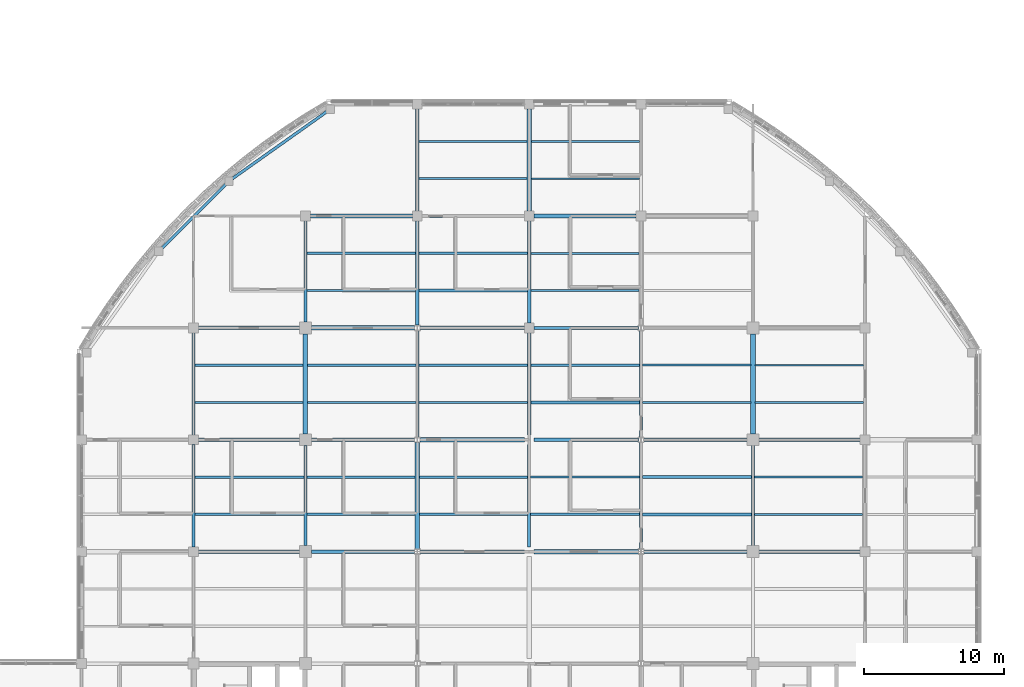
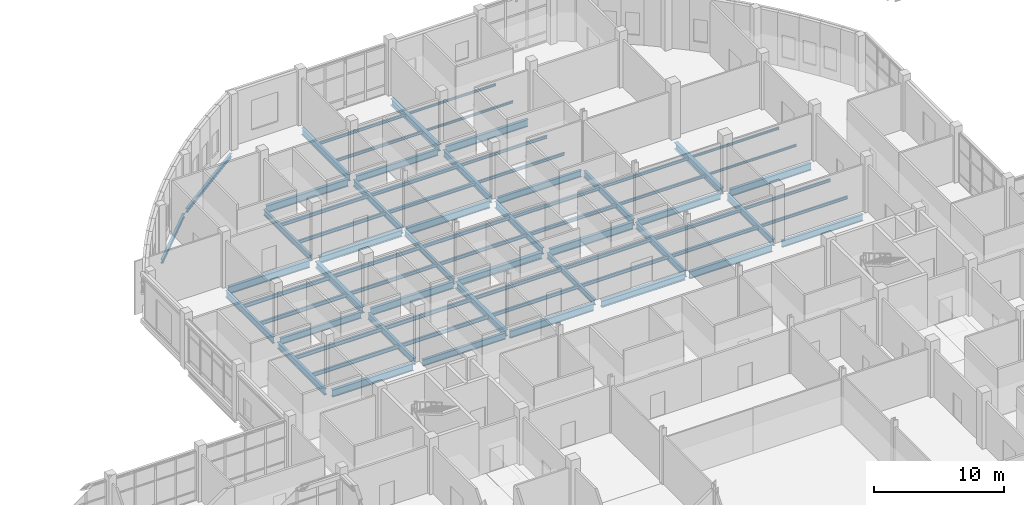
# One storey, part 30 of 105: 72 beams.
"""IFC4 building model written with IfcOpenShell, lengths in metres."""

from ifc_helpers import new_model, si_unit, derived_unit, direction, frame, origin, origin_2d, place, context, subcontext, project, spatial, i_section, extrude, material, material_profile, profile_set, type_object, element, save


model = new_model("IFC4")

# Units and contexts
model_context = context("Model", 3, precision=1e-05, world=origin(), true_north=direction((0.0, 1.0)))
body_context = subcontext(model_context, "Body", "Model", "MODEL_VIEW")
ifc_project = project(units=[si_unit("LENGTHUNIT", "METRE"), si_unit("AREAUNIT", "SQUARE_METRE"), si_unit("VOLUMEUNIT", "CUBIC_METRE"), si_unit("PLANEANGLEUNIT", "RADIAN"), si_unit("MASSUNIT", "GRAM", prefix="KILO"), derived_unit("THERMALTRANSMITTANCEUNIT", [(si_unit("MASSUNIT", "GRAM", prefix="KILO"), 1), (si_unit("TIMEUNIT", "SECOND"), -3), (si_unit("THERMODYNAMICTEMPERATUREUNIT", "KELVIN"), -1)])], contexts=[model_context])

# Site, building, storey
site_placement = place(None, origin())
site = spatial("IfcSite", under=ifc_project, at=site_placement, CompositionType="ELEMENT")
building_placement = place(site_placement, origin())
building = spatial("IfcBuilding", under=site, at=building_placement, Name="Veyamyaing Civic Hall", CompositionType="ELEMENT")
storey_placement = place(building_placement, origin())
storey = spatial("IfcBuildingStorey", under=building, at=storey_placement, Name="L00", CompositionType="ELEMENT", Elevation=0.0)

# Beams
ifc_material = material(Name="Steel ASTM A992", Category="steel")
ifc_material_profile_1 = material_profile(ifc_material, i_section(OverallWidth=0.256103515625, OverallDepth=0.693115234375, WebThickness=0.014404296875, FlangeThickness=0.023681640625, FilletRadius=0.013916015625, at=origin_2d()), Name="W690X170")
ifc_profile_set_1 = profile_set([ifc_material_profile_1], Name="Steel ASTM A992")
beam_type_1 = type_object("IfcBeamType", Name="B-04", PredefinedType="BEAM", material=ifc_profile_set_1)
beam_1_placement = place(storey_placement, frame((64.35009765625, 64.0, -0.611572265625), z_axis=(1.0, 0.0, 0.0), x_axis=(0.0, 1.0, 0.0)))
element("IfcBeam", 1, at=beam_1_placement, inside=storey, type_object=beam_type_1, Name="Girder B-04 L00 Grid J 9-10", PredefinedType="BEAM", context=body_context, shape_type="SweptSolid", body=[
    extrude(i_section(OverallWidth=0.256103515625, OverallDepth=0.693115234375, WebThickness=0.014404296875, FlangeThickness=0.023681640625, FilletRadius=0.013916015625, at=origin_2d()), origin(), (0.0, 0.0, 1.0), 7.224853515625),
])
beam_2_placement = place(storey_placement, frame((96.198974609375, 64.0, -0.611572265625), z_axis=(1.0, 0.0, 0.0), x_axis=(0.0, 1.0, 0.0)))
element("IfcBeam", 2, at=beam_2_placement, inside=storey, type_object=beam_type_1, Name="Girder B-04 L00 Grid J 13-14", PredefinedType="BEAM", context=body_context, shape_type="SweptSolid", body=[
    extrude(i_section(OverallWidth=0.256103515625, OverallDepth=0.693115234375, WebThickness=0.014404296875, FlangeThickness=0.023681640625, FilletRadius=0.013916015625, at=origin_2d()), origin(), (0.0, 0.0, 1.0), 7.3759765625),
])
for number, where, z_axis, x_axis, name in (
    (3, (88.35009765625, 72.0, -0.611572265625), (1.0, 0.0, 0.0), (0.0, 1.0, 0.0), "Girder B-04 L00 Grid K 12-13"),
    (4, (80.198974609375, 80.0, -0.611572265625), (1.0, 0.0, 0.0), (0.0, 1.0, 0.0), "Girder B-04 L00 Grid L 11-12"),
):
    element("IfcBeam", number, at=place(storey_placement, frame(where, z_axis=z_axis, x_axis=x_axis)), inside=storey, type_object=beam_type_1, Name=name, PredefinedType="BEAM", context=body_context, shape_type="SweptSolid", body=[
        extrude(i_section(OverallWidth=0.256103515625, OverallDepth=0.693115234375, WebThickness=0.014404296875, FlangeThickness=0.023681640625, FilletRadius=0.013916015625, at=origin_2d()), origin(), (0.0, 0.0, 1.0), 7.450927734375),
    ])
beam_3_placement = place(storey_placement, frame((72.35009765625, 88.0, -0.611572265625), z_axis=(1.0, 0.0, 0.0), x_axis=(0.0, 1.0, 0.0)))
element("IfcBeam", 5, at=beam_3_placement, inside=storey, type_object=beam_type_1, Name="Girder B-04 L00 Grid M 10-11", PredefinedType="BEAM", context=body_context, shape_type="SweptSolid", body=[
    extrude(i_section(OverallWidth=0.256103515625, OverallDepth=0.693115234375, WebThickness=0.014404296875, FlangeThickness=0.023681640625, FilletRadius=0.013916015625, at=origin_2d()), origin(), (0.0, 0.0, 1.0), 7.2998046875),
])
ifc_material_profile_2 = material_profile(ifc_material, i_section(OverallWidth=0.22998046875, OverallDepth=0.616943359375, WebThickness=0.01318359375, FlangeThickness=0.022216796875, FilletRadius=0.012939453125, at=origin_2d()), Name="W610X140")
ifc_profile_set_2 = profile_set([ifc_material_profile_2], Name="Steel ASTM A992")
beam_type_2 = type_object("IfcBeamType", Name="B-05", PredefinedType="BEAM", material=ifc_profile_set_2)
beam_4_placement = place(storey_placement, frame((72.425048828125, 64.0, -0.573486328125), z_axis=(1.0, 0.0, 0.0), x_axis=(0.0, 1.0, 0.0)))
element("IfcBeam", 6, at=beam_4_placement, inside=storey, type_object=beam_type_2, Name="Girder B-05 L00 Grid J 10-11", PredefinedType="BEAM", context=body_context, shape_type="SweptSolid", body=[
    extrude(i_section(OverallWidth=0.22998046875, OverallDepth=0.616943359375, WebThickness=0.01318359375, FlangeThickness=0.022216796875, FilletRadius=0.012939453125, at=origin_2d()), origin(), (0.0, 0.0, 1.0), 7.3759765625),
])
for number, where, z_axis, x_axis, name in (
    (7, (104.425048828125, 64.0, -0.573486328125), (1.0, 0.0, 0.0), (0.0, 1.0, 0.0), "Girder B-05 L00 Grid J 14-15"),
    (8, (64.35009765625, 72.0, -0.573486328125), (1.0, 0.0, 0.0), (0.0, 1.0, 0.0), "Girder B-05 L00 Grid K 9-10"),
):
    element("IfcBeam", number, at=place(storey_placement, frame(where, z_axis=z_axis, x_axis=x_axis)), inside=storey, type_object=beam_type_2, Name=name, PredefinedType="BEAM", context=body_context, shape_type="SweptSolid", body=[
        extrude(i_section(OverallWidth=0.22998046875, OverallDepth=0.616943359375, WebThickness=0.01318359375, FlangeThickness=0.022216796875, FilletRadius=0.012939453125, at=origin_2d()), origin(), (0.0, 0.0, 1.0), 7.224853515625),
    ])
beam_5_placement = place(storey_placement, frame((96.198974609375, 72.0, -0.573486328125), z_axis=(1.0, 0.0, 0.0), x_axis=(0.0, 1.0, 0.0)))
element("IfcBeam", 9, at=beam_5_placement, inside=storey, type_object=beam_type_2, Name="Girder B-05 L00 Grid K 13-14", PredefinedType="BEAM", context=body_context, shape_type="SweptSolid", body=[
    extrude(i_section(OverallWidth=0.22998046875, OverallDepth=0.616943359375, WebThickness=0.01318359375, FlangeThickness=0.022216796875, FilletRadius=0.012939453125, at=origin_2d()), origin(), (0.0, 0.0, 1.0), 7.3759765625),
])
beam_6_placement = place(storey_placement, frame((88.35009765625, 80.0, -0.573486328125), z_axis=(1.0, 0.0, 0.0), x_axis=(0.0, 1.0, 0.0)))
element("IfcBeam", 10, at=beam_6_placement, inside=storey, type_object=beam_type_2, Name="Girder B-05 L00 Grid L 12-13", PredefinedType="BEAM", context=body_context, shape_type="SweptSolid", body=[
    extrude(i_section(OverallWidth=0.22998046875, OverallDepth=0.616943359375, WebThickness=0.01318359375, FlangeThickness=0.022216796875, FilletRadius=0.012939453125, at=origin_2d()), origin(), (0.0, 0.0, 1.0), 7.450927734375),
])
for number, where, z_axis, x_axis, name in (
    (11, (80.35009765625, 88.0, -0.573486328125), (1.0, 0.0, 0.0), (0.0, 1.0, 0.0), "Girder B-05 L00 Grid M 11-12"),
    (12, (64.0, 64.35009765625, -0.573486328125), (0.0, 1.0, 0.0), (-1.0, 0.0, 0.0), "Girder B-05 L00 Grid 9 J-K"),
):
    element("IfcBeam", number, at=place(storey_placement, frame(where, z_axis=z_axis, x_axis=x_axis)), inside=storey, type_object=beam_type_2, Name=name, PredefinedType="BEAM", context=body_context, shape_type="SweptSolid", body=[
        extrude(i_section(OverallWidth=0.22998046875, OverallDepth=0.616943359375, WebThickness=0.01318359375, FlangeThickness=0.022216796875, FilletRadius=0.012939453125, at=origin_2d()), origin(), (0.0, 0.0, 1.0), 7.2998046875),
    ])
beam_7_placement = place(storey_placement, frame((80.0, 80.193603515625, -0.573486328125), z_axis=(0.0, 1.0, 0.0), x_axis=(-1.0, 0.0, 0.0)))
element("IfcBeam", 13, at=beam_7_placement, inside=storey, type_object=beam_type_2, Name="Girder B-05 L00 Grid 11 L-M", PredefinedType="BEAM", context=body_context, shape_type="SweptSolid", body=[
    extrude(i_section(OverallWidth=0.22998046875, OverallDepth=0.616943359375, WebThickness=0.01318359375, FlangeThickness=0.022216796875, FilletRadius=0.012939453125, at=origin_2d()), origin(), (0.0, 0.0, 1.0), 7.456298828125),
])
beam_8_placement = place(storey_placement, frame((88.0, 72.35009765625, -0.573486328125), z_axis=(0.0, 1.0, 0.0), x_axis=(-1.0, 0.0, 0.0)))
element("IfcBeam", 14, at=beam_8_placement, inside=storey, type_object=beam_type_2, Name="Girder B-05 L00 Grid 12 K-L", PredefinedType="BEAM", context=body_context, shape_type="SweptSolid", body=[
    extrude(i_section(OverallWidth=0.22998046875, OverallDepth=0.616943359375, WebThickness=0.01318359375, FlangeThickness=0.022216796875, FilletRadius=0.012939453125, at=origin_2d()), origin(), (0.0, 0.0, 1.0), 7.2998046875),
])
beam_9_placement = place(storey_placement, frame((96.0, 64.193603515625, -0.573486328125), z_axis=(0.0, 1.0, 0.0), x_axis=(-1.0, 0.0, 0.0)))
element("IfcBeam", 15, at=beam_9_placement, inside=storey, type_object=beam_type_2, Name="Girder B-05 L00 Grid 13 J-K", PredefinedType="BEAM", context=body_context, shape_type="SweptSolid", body=[
    extrude(i_section(OverallWidth=0.22998046875, OverallDepth=0.616943359375, WebThickness=0.01318359375, FlangeThickness=0.022216796875, FilletRadius=0.012939453125, at=origin_2d()), origin(), (0.0, 0.0, 1.0), 7.61279296875),
])
ifc_material_profile_3 = material_profile(ifc_material, i_section(OverallWidth=0.22802734375, OverallDepth=0.60791015625, WebThickness=0.01123046875, FlangeThickness=0.017333984375, FilletRadius=0.012939453125, at=origin_2d()), Name="W610X113")
ifc_profile_set_3 = profile_set([ifc_material_profile_3], Name="Steel ASTM A992")
beam_type_3 = type_object("IfcBeamType", Name="B-06", PredefinedType="BEAM", material=ifc_profile_set_3)
beam_10_placement = place(storey_placement, frame((64.0, 72.35009765625, -0.569091796875), z_axis=(0.0, 1.0, 0.0), x_axis=(-1.0, 0.0, 0.0)))
element("IfcBeam", 16, at=beam_10_placement, inside=storey, type_object=beam_type_3, Name="Girder B-06 L00 Grid 9 K-L", PredefinedType="BEAM", context=body_context, shape_type="SweptSolid", body=[
    extrude(i_section(OverallWidth=0.22802734375, OverallDepth=0.60791015625, WebThickness=0.01123046875, FlangeThickness=0.017333984375, FilletRadius=0.012939453125, at=origin_2d()), origin(), (0.0, 0.0, 1.0), 7.2998046875),
])
beam_11_placement = place(storey_placement, frame((72.0, 64.425048828125, -0.569091796875), z_axis=(0.0, 1.0, 0.0), x_axis=(-1.0, 0.0, 0.0)))
element("IfcBeam", 17, at=beam_11_placement, inside=storey, type_object=beam_type_3, Name="Girder B-06 L00 Grid 10 J-K", PredefinedType="BEAM", context=body_context, shape_type="SweptSolid", body=[
    extrude(i_section(OverallWidth=0.22802734375, OverallDepth=0.60791015625, WebThickness=0.01123046875, FlangeThickness=0.017333984375, FilletRadius=0.012939453125, at=origin_2d()), origin(), (0.0, 0.0, 1.0), 7.14990234375),
])
for number, where, z_axis, x_axis, name in (
    (18, (80.0, 88.35009765625, -0.569091796875), (0.0, 1.0, 0.0), (-1.0, 0.0, 0.0), "Girder B-06 L00 Grid 11 M-N"),
    (19, (88.0, 80.35009765625, -0.569091796875), (0.0, 1.0, 0.0), (-1.0, 0.0, 0.0), "Girder B-06 L00 Grid 12 L-M"),
):
    element("IfcBeam", number, at=place(storey_placement, frame(where, z_axis=z_axis, x_axis=x_axis)), inside=storey, type_object=beam_type_3, Name=name, PredefinedType="BEAM", context=body_context, shape_type="SweptSolid", body=[
        extrude(i_section(OverallWidth=0.22802734375, OverallDepth=0.60791015625, WebThickness=0.01123046875, FlangeThickness=0.017333984375, FilletRadius=0.012939453125, at=origin_2d()), origin(), (0.0, 0.0, 1.0), 7.2998046875),
    ])
beam_12_placement = place(storey_placement, frame((96.0, 72.193603515625, -0.569091796875), z_axis=(0.0, 1.0, 0.0), x_axis=(-1.0, 0.0, 0.0)))
element("IfcBeam", 20, at=beam_12_placement, inside=storey, type_object=beam_type_3, Name="Girder B-06 L00 Grid 13 K-L", PredefinedType="BEAM", context=body_context, shape_type="SweptSolid", body=[
    extrude(i_section(OverallWidth=0.22802734375, OverallDepth=0.60791015625, WebThickness=0.01123046875, FlangeThickness=0.017333984375, FilletRadius=0.012939453125, at=origin_2d()), origin(), (0.0, 0.0, 1.0), 7.61279296875),
])
beam_13_placement = place(storey_placement, frame((104.0, 64.425048828125, -0.569091796875), z_axis=(0.0, 1.0, 0.0), x_axis=(-1.0, 0.0, 0.0)))
element("IfcBeam", 21, at=beam_13_placement, inside=storey, type_object=beam_type_3, Name="Girder B-06 L00 Grid 14 J-K", PredefinedType="BEAM", context=body_context, shape_type="SweptSolid", body=[
    extrude(i_section(OverallWidth=0.22802734375, OverallDepth=0.60791015625, WebThickness=0.01123046875, FlangeThickness=0.017333984375, FilletRadius=0.012939453125, at=origin_2d()), origin(), (0.0, 0.0, 1.0), 7.14990234375),
])
ifc_material_profile_4 = material_profile(ifc_material, i_section(OverallWidth=0.2041015625, OverallDepth=0.35009765625, WebThickness=0.0078125, FlangeThickness=0.01513671875, FilletRadius=0.010009765625, at=origin_2d()), Name="W360X72")
ifc_profile_set_4 = profile_set([ifc_material_profile_4], Name="Steel ASTM A992")
beam_type_4 = type_object("IfcBeamType", Name="B-11", PredefinedType="SPANDREL", material=ifc_profile_set_4)
beam_14_placement = place(storey_placement, frame((73.53466796875, 95.462646484375, -0.449951171875), z_axis=(-0.815567262109, -0.578662285773, 0.0), x_axis=(0.578662285773, -0.815567262109, 0.0)))
element("IfcBeam", 22, at=beam_14_placement, inside=storey, type_object=beam_type_4, Name="Curved corner spandrel B-11 L00 NW.1", PredefinedType="SPANDREL", context=body_context, shape_type="SweptSolid", body=[
    extrude(i_section(OverallWidth=0.2041015625, OverallDepth=0.35009765625, WebThickness=0.0078125, FlangeThickness=0.01513671875, FilletRadius=0.010009765625, at=origin_2d()), origin(), (0.0, 0.0, 1.0), 8.284423828125),
])
beam_15_placement = place(storey_placement, frame((66.3212890625, 90.282958984375, -0.449951171875), z_axis=(-0.707106781187, -0.707106781187, 0.0), x_axis=(0.707106781187, -0.707106781187, 0.0)))
element("IfcBeam", 23, at=beam_15_placement, inside=storey, type_object=beam_type_4, Name="Curved corner spandrel B-11 L00 NW.2", PredefinedType="SPANDREL", context=body_context, shape_type="SweptSolid", body=[
    extrude(i_section(OverallWidth=0.2041015625, OverallDepth=0.35009765625, WebThickness=0.0078125, FlangeThickness=0.01513671875, FilletRadius=0.010009765625, at=origin_2d()), origin(), (0.0, 0.0, 1.0), 6.511474609375),
])
ifc_material_profile_5 = material_profile(ifc_material, i_section(OverallWidth=0.25390625, OverallDepth=0.68408203125, WebThickness=0.012451171875, FlangeThickness=0.01904296875, FilletRadius=0.013916015625, at=origin_2d()), Name="W690X140")
ifc_profile_set_5 = profile_set([ifc_material_profile_5], Name="Steel ASTM A992")
beam_type_5 = type_object("IfcBeamType", Name="B-14", PredefinedType="BEAM", material=ifc_profile_set_5)
beam_16_placement = place(storey_placement, frame((80.198974609375, 64.0, -0.60693359375), z_axis=(1.0, 0.0, 0.0), x_axis=(0.0, 1.0, 0.0)))
element("IfcBeam", 24, at=beam_16_placement, inside=storey, type_object=beam_type_5, Name="Girder B-14 L00 Grid J 11-12", PredefinedType="BEAM", context=body_context, shape_type="SweptSolid", body=[
    extrude(i_section(OverallWidth=0.25390625, OverallDepth=0.68408203125, WebThickness=0.012451171875, FlangeThickness=0.01904296875, FilletRadius=0.013916015625, at=origin_2d()), origin(), (0.0, 0.0, 1.0), 7.450927734375),
])
beam_17_placement = place(storey_placement, frame((72.425048828125, 72.0, -0.60693359375), z_axis=(1.0, 0.0, 0.0), x_axis=(0.0, 1.0, 0.0)))
element("IfcBeam", 25, at=beam_17_placement, inside=storey, type_object=beam_type_5, Name="Girder B-14 L00 Grid K 10-11", PredefinedType="BEAM", context=body_context, shape_type="SweptSolid", body=[
    extrude(i_section(OverallWidth=0.25390625, OverallDepth=0.68408203125, WebThickness=0.012451171875, FlangeThickness=0.01904296875, FilletRadius=0.013916015625, at=origin_2d()), origin(), (0.0, 0.0, 1.0), 7.3759765625),
])
for number, where, z_axis, x_axis, name in (
    (26, (104.425048828125, 72.0, -0.60693359375), (1.0, 0.0, 0.0), (0.0, 1.0, 0.0), "Girder B-14 L00 Grid K 14-15"),
    (27, (64.35009765625, 80.0, -0.60693359375), (1.0, 0.0, 0.0), (0.0, 1.0, 0.0), "Girder B-14 L00 Grid L 9-10"),
):
    element("IfcBeam", number, at=place(storey_placement, frame(where, z_axis=z_axis, x_axis=x_axis)), inside=storey, type_object=beam_type_5, Name=name, PredefinedType="BEAM", context=body_context, shape_type="SweptSolid", body=[
        extrude(i_section(OverallWidth=0.25390625, OverallDepth=0.68408203125, WebThickness=0.012451171875, FlangeThickness=0.01904296875, FilletRadius=0.013916015625, at=origin_2d()), origin(), (0.0, 0.0, 1.0), 7.224853515625),
    ])
beam_18_placement = place(storey_placement, frame((88.35009765625, 88.0, -0.60693359375), z_axis=(1.0, 0.0, 0.0), x_axis=(0.0, 1.0, 0.0)))
element("IfcBeam", 28, at=beam_18_placement, inside=storey, type_object=beam_type_5, Name="Girder B-14 L00 Grid M 12-13", PredefinedType="BEAM", context=body_context, shape_type="SweptSolid", body=[
    extrude(i_section(OverallWidth=0.25390625, OverallDepth=0.68408203125, WebThickness=0.012451171875, FlangeThickness=0.01904296875, FilletRadius=0.013916015625, at=origin_2d()), origin(), (0.0, 0.0, 1.0), 7.2998046875),
])
ifc_material_profile_6 = material_profile(ifc_material, i_section(OverallWidth=0.324951171875, OverallDepth=0.615966796875, WebThickness=0.013916015625, FlangeThickness=0.021484375, FilletRadius=0.013916015625, at=origin_2d()), Name="W610X174")
ifc_profile_set_6 = profile_set([ifc_material_profile_6], Name="Steel ASTM A992")
beam_type_6 = type_object("IfcBeamType", Name="B-15", PredefinedType="BEAM", material=ifc_profile_set_6)
for number, where, z_axis, x_axis, name in (
    (29, (88.35009765625, 64.0, -0.572998046875), (1.0, 0.0, 0.0), (0.0, 1.0, 0.0), "Girder B-15 L00 Grid J 12-13"),
    (30, (80.198974609375, 72.0, -0.572998046875), (1.0, 0.0, 0.0), (0.0, 1.0, 0.0), "Girder B-15 L00 Grid K 11-12"),
):
    element("IfcBeam", number, at=place(storey_placement, frame(where, z_axis=z_axis, x_axis=x_axis)), inside=storey, type_object=beam_type_6, Name=name, PredefinedType="BEAM", context=body_context, shape_type="SweptSolid", body=[
        extrude(i_section(OverallWidth=0.324951171875, OverallDepth=0.615966796875, WebThickness=0.013916015625, FlangeThickness=0.021484375, FilletRadius=0.013916015625, at=origin_2d()), origin(), (0.0, 0.0, 1.0), 7.450927734375),
    ])
beam_19_placement = place(storey_placement, frame((72.425048828125, 80.0, -0.572998046875), z_axis=(1.0, 0.0, 0.0), x_axis=(0.0, 1.0, 0.0)))
element("IfcBeam", 31, at=beam_19_placement, inside=storey, type_object=beam_type_6, Name="Girder B-15 L00 Grid L 10-11", PredefinedType="BEAM", context=body_context, shape_type="SweptSolid", body=[
    extrude(i_section(OverallWidth=0.324951171875, OverallDepth=0.615966796875, WebThickness=0.013916015625, FlangeThickness=0.021484375, FilletRadius=0.013916015625, at=origin_2d()), origin(), (0.0, 0.0, 1.0), 7.3759765625),
])
beam_20_placement = place(storey_placement, frame((72.0, 72.425048828125, -0.572998046875), z_axis=(0.0, 1.0, 0.0), x_axis=(-1.0, 0.0, 0.0)))
element("IfcBeam", 32, at=beam_20_placement, inside=storey, type_object=beam_type_6, Name="Girder B-15 L00 Grid 10 K-L", PredefinedType="BEAM", context=body_context, shape_type="SweptSolid", body=[
    extrude(i_section(OverallWidth=0.324951171875, OverallDepth=0.615966796875, WebThickness=0.013916015625, FlangeThickness=0.021484375, FilletRadius=0.013916015625, at=origin_2d()), origin(), (0.0, 0.0, 1.0), 7.14990234375),
])
beam_21_placement = place(storey_placement, frame((80.0, 64.193603515625, -0.572998046875), z_axis=(0.0, 1.0, 0.0), x_axis=(-1.0, 0.0, 0.0)))
element("IfcBeam", 33, at=beam_21_placement, inside=storey, type_object=beam_type_6, Name="Girder B-15 L00 Grid 11 J-K", PredefinedType="BEAM", context=body_context, shape_type="SweptSolid", body=[
    extrude(i_section(OverallWidth=0.324951171875, OverallDepth=0.615966796875, WebThickness=0.013916015625, FlangeThickness=0.021484375, FilletRadius=0.013916015625, at=origin_2d()), origin(), (0.0, 0.0, 1.0), 7.61279296875),
])
beam_22_placement = place(storey_placement, frame((88.0, 88.35009765625, -0.572998046875), z_axis=(0.0, 1.0, 0.0), x_axis=(-1.0, 0.0, 0.0)))
element("IfcBeam", 34, at=beam_22_placement, inside=storey, type_object=beam_type_6, Name="Girder B-15 L00 Grid 12 M-N", PredefinedType="BEAM", context=body_context, shape_type="SweptSolid", body=[
    extrude(i_section(OverallWidth=0.324951171875, OverallDepth=0.615966796875, WebThickness=0.013916015625, FlangeThickness=0.021484375, FilletRadius=0.013916015625, at=origin_2d()), origin(), (0.0, 0.0, 1.0), 7.2998046875),
])
beam_23_placement = place(storey_placement, frame((104.0, 72.425048828125, -0.572998046875), z_axis=(0.0, 1.0, 0.0), x_axis=(-1.0, 0.0, 0.0)))
element("IfcBeam", 35, at=beam_23_placement, inside=storey, type_object=beam_type_6, Name="Girder B-15 L00 Grid 14 K-L", PredefinedType="BEAM", context=body_context, shape_type="SweptSolid", body=[
    extrude(i_section(OverallWidth=0.324951171875, OverallDepth=0.615966796875, WebThickness=0.013916015625, FlangeThickness=0.021484375, FilletRadius=0.013916015625, at=origin_2d()), origin(), (0.0, 0.0, 1.0), 7.14990234375),
])
ifc_material_profile_7 = material_profile(ifc_material, i_section(OverallWidth=0.214111328125, OverallDepth=0.549072265625, WebThickness=0.0146484375, FlangeThickness=0.023681640625, FilletRadius=0.011962890625, at=origin_2d()), Name="W530X138")
ifc_profile_set_7 = profile_set([ifc_material_profile_7], Name="Steel ASTM A992")
beam_type_7 = type_object("IfcBeamType", Name="B-16", PredefinedType="BEAM", material=ifc_profile_set_7)
beam_24_placement = place(storey_placement, frame((72.0, 80.425048828125, -0.53955078125), z_axis=(0.0, 1.0, 0.0), x_axis=(-1.0, 0.0, 0.0)))
element("IfcBeam", 36, at=beam_24_placement, inside=storey, type_object=beam_type_7, Name="Girder B-16 L00 Grid 10 L-M", PredefinedType="BEAM", context=body_context, shape_type="SweptSolid", body=[
    extrude(i_section(OverallWidth=0.214111328125, OverallDepth=0.549072265625, WebThickness=0.0146484375, FlangeThickness=0.023681640625, FilletRadius=0.011962890625, at=origin_2d()), origin(), (0.0, 0.0, 1.0), 7.224853515625),
])
beam_25_placement = place(storey_placement, frame((80.0, 72.193603515625, -0.53955078125), z_axis=(0.0, 1.0, 0.0), x_axis=(-1.0, 0.0, 0.0)))
element("IfcBeam", 37, at=beam_25_placement, inside=storey, type_object=beam_type_7, Name="Girder B-16 L00 Grid 11 K-L", PredefinedType="BEAM", context=body_context, shape_type="SweptSolid", body=[
    extrude(i_section(OverallWidth=0.214111328125, OverallDepth=0.549072265625, WebThickness=0.0146484375, FlangeThickness=0.023681640625, FilletRadius=0.011962890625, at=origin_2d()), origin(), (0.0, 0.0, 1.0), 7.61279296875),
])
beam_26_placement = place(storey_placement, frame((88.0, 64.35009765625, -0.53955078125), z_axis=(0.0, 1.0, 0.0), x_axis=(-1.0, 0.0, 0.0)))
element("IfcBeam", 38, at=beam_26_placement, inside=storey, type_object=beam_type_7, Name="Girder B-16 L00 Grid 12 J-K", PredefinedType="BEAM", context=body_context, shape_type="SweptSolid", body=[
    extrude(i_section(OverallWidth=0.214111328125, OverallDepth=0.549072265625, WebThickness=0.0146484375, FlangeThickness=0.023681640625, FilletRadius=0.011962890625, at=origin_2d()), origin(), (0.0, 0.0, 1.0), 7.2998046875),
])
ifc_material_profile_8 = material_profile(ifc_material, i_section(OverallWidth=0.172119140625, OverallDepth=0.35791015625, WebThickness=0.0078125, FlangeThickness=0.01318359375, FilletRadius=0.010009765625, at=origin_2d()), Name="W360X57")
ifc_profile_set_8 = profile_set([ifc_material_profile_8], Name="Steel ASTM A992")
beam_type_8 = type_object("IfcBeamType", Name="J-02", PredefinedType="JOIST", material=ifc_profile_set_8)
for number, where, z_axis, x_axis, name in (
    (39, (64.113037109375, 66.666748046875, -0.444091796875), (1.0, 0.0, 0.0), (0.0, 1.0, 0.0), "Composite floor joist J-02 L00 9.9.1"),
    (40, (64.113037109375, 69.333251953125, -0.444091796875), (1.0, 0.0, 0.0), (0.0, 1.0, 0.0), "Composite floor joist J-02 L00 9.9.2"),
):
    element("IfcBeam", number, at=place(storey_placement, frame(where, z_axis=z_axis, x_axis=x_axis)), inside=storey, type_object=beam_type_8, Name=name, PredefinedType="JOIST", context=body_context, shape_type="SweptSolid", body=[
        extrude(i_section(OverallWidth=0.172119140625, OverallDepth=0.35791015625, WebThickness=0.0078125, FlangeThickness=0.01318359375, FilletRadius=0.010009765625, at=origin_2d()), origin(), (0.0, 0.0, 1.0), 7.77490234375),
    ])
ifc_material_profile_9 = material_profile(ifc_material, i_section(OverallWidth=0.1708984375, OverallDepth=0.35205078125, WebThickness=0.0068359375, FlangeThickness=0.009765625, FilletRadius=0.010009765625, at=origin_2d()), Name="W360X44")
ifc_profile_set_9 = profile_set([ifc_material_profile_9], Name="Steel ASTM A992")
beam_type_9 = type_object("IfcBeamType", Name="J-03", PredefinedType="JOIST", material=ifc_profile_set_9)
for number, where, z_axis, x_axis, name in (
    (41, (64.112060546875, 74.666748046875, -0.44091796875), (1.0, 0.0, 0.0), (0.0, 1.0, 0.0), "Composite floor joist J-03 L00 9.10.1"),
    (42, (64.112060546875, 77.333251953125, -0.44091796875), (1.0, 0.0, 0.0), (0.0, 1.0, 0.0), "Composite floor joist J-03 L00 9.10.2"),
    (43, (72.112060546875, 66.666748046875, -0.44091796875), (1.0, 0.0, 0.0), (0.0, 1.0, 0.0), "Composite floor joist J-03 L00 10.9.1"),
    (44, (72.112060546875, 69.333251953125, -0.44091796875), (1.0, 0.0, 0.0), (0.0, 1.0, 0.0), "Composite floor joist J-03 L00 10.9.2"),
):
    element("IfcBeam", number, at=place(storey_placement, frame(where, z_axis=z_axis, x_axis=x_axis)), inside=storey, type_object=beam_type_9, Name=name, PredefinedType="JOIST", context=body_context, shape_type="SweptSolid", body=[
        extrude(i_section(OverallWidth=0.1708984375, OverallDepth=0.35205078125, WebThickness=0.0068359375, FlangeThickness=0.009765625, FilletRadius=0.010009765625, at=origin_2d()), origin(), (0.0, 0.0, 1.0), 7.7275390625),
    ])
ifc_material_profile_10 = material_profile(ifc_material, i_section(OverallWidth=0.1669921875, OverallDepth=0.318115234375, WebThickness=0.007568359375, FlangeThickness=0.01318359375, FilletRadius=0.010009765625, at=origin_2d()), Name="W310X52")
ifc_profile_set_10 = profile_set([ifc_material_profile_10], Name="Steel ASTM A992")
beam_type_10 = type_object("IfcBeamType", Name="J-04", PredefinedType="JOIST", material=ifc_profile_set_10)
for number, where, z_axis, x_axis, name in (
    (45, (72.160400390625, 74.666748046875, -0.424072265625), (1.0, 0.0, 0.0), (0.0, 1.0, 0.0), "Composite floor joist J-04 L00 10.10.1"),
    (46, (72.160400390625, 77.333251953125, -0.424072265625), (1.0, 0.0, 0.0), (0.0, 1.0, 0.0), "Composite floor joist J-04 L00 10.10.2"),
    (47, (80.160400390625, 66.666748046875, -0.424072265625), (1.0, 0.0, 0.0), (0.0, 1.0, 0.0), "Composite floor joist J-04 L00 11.9.1"),
    (48, (80.160400390625, 69.333251953125, -0.424072265625), (1.0, 0.0, 0.0), (0.0, 1.0, 0.0), "Composite floor joist J-04 L00 11.9.2"),
):
    element("IfcBeam", number, at=place(storey_placement, frame(where, z_axis=z_axis, x_axis=x_axis)), inside=storey, type_object=beam_type_10, Name=name, PredefinedType="JOIST", context=body_context, shape_type="SweptSolid", body=[
        extrude(i_section(OverallWidth=0.1669921875, OverallDepth=0.318115234375, WebThickness=0.007568359375, FlangeThickness=0.01318359375, FilletRadius=0.010009765625, at=origin_2d()), origin(), (0.0, 0.0, 1.0), 7.734619140625),
    ])
ifc_material_profile_11 = material_profile(ifc_material, i_section(OverallWidth=0.1650390625, OverallDepth=0.31005859375, WebThickness=0.005859375, FlangeThickness=0.009765625, FilletRadius=0.010009765625, at=origin_2d()), Name="W310X39")
ifc_profile_set_11 = profile_set([ifc_material_profile_11], Name="Steel ASTM A992")
beam_type_11 = type_object("IfcBeamType", Name="J-05", PredefinedType="JOIST", material=ifc_profile_set_11)
for number, where, z_axis, x_axis, name in (
    (49, (72.10498046875, 82.666748046875, -0.419921875), (1.0, 0.0, 0.0), (0.0, 1.0, 0.0), "Composite floor joist J-05 L00 10.11.1"),
    (50, (72.10498046875, 85.333251953125, -0.419921875), (1.0, 0.0, 0.0), (0.0, 1.0, 0.0), "Composite floor joist J-05 L00 10.11.2"),
    (51, (80.10498046875, 74.666748046875, -0.419921875), (1.0, 0.0, 0.0), (0.0, 1.0, 0.0), "Composite floor joist J-05 L00 11.10.1"),
    (52, (80.10498046875, 77.333251953125, -0.419921875), (1.0, 0.0, 0.0), (0.0, 1.0, 0.0), "Composite floor joist J-05 L00 11.10.2"),
    (53, (88.10498046875, 66.666748046875, -0.419921875), (1.0, 0.0, 0.0), (0.0, 1.0, 0.0), "Composite floor joist J-05 L00 12.9.1"),
    (54, (88.10498046875, 69.333251953125, -0.419921875), (1.0, 0.0, 0.0), (0.0, 1.0, 0.0), "Composite floor joist J-05 L00 12.9.2"),
):
    element("IfcBeam", number, at=place(storey_placement, frame(where, z_axis=z_axis, x_axis=x_axis)), inside=storey, type_object=beam_type_11, Name=name, PredefinedType="JOIST", context=body_context, shape_type="SweptSolid", body=[
        extrude(i_section(OverallWidth=0.1650390625, OverallDepth=0.31005859375, WebThickness=0.005859375, FlangeThickness=0.009765625, FilletRadius=0.010009765625, at=origin_2d()), origin(), (0.0, 0.0, 1.0), 7.781982421875),
    ])
ifc_material_profile_12 = material_profile(ifc_material, i_section(OverallWidth=0.2041015625, OverallDepth=0.305908203125, WebThickness=0.008544921875, FlangeThickness=0.0146484375, FilletRadius=0.010009765625, at=origin_2d()), Name="W310X67")
ifc_profile_set_12 = profile_set([ifc_material_profile_12], Name="Steel ASTM A992")
beam_type_12 = type_object("IfcBeamType", Name="J-06", PredefinedType="JOIST", material=ifc_profile_set_12)
for number, where, z_axis, x_axis, name in (
    (55, (80.113037109375, 82.666748046875, -0.41796875), (1.0, 0.0, 0.0), (0.0, 1.0, 0.0), "Composite floor joist J-06 L00 11.11.1"),
    (56, (80.113037109375, 85.333251953125, -0.41796875), (1.0, 0.0, 0.0), (0.0, 1.0, 0.0), "Composite floor joist J-06 L00 11.11.2"),
    (57, (88.113037109375, 74.666748046875, -0.41796875), (1.0, 0.0, 0.0), (0.0, 1.0, 0.0), "Composite floor joist J-06 L00 12.10.1"),
    (58, (88.113037109375, 77.333251953125, -0.41796875), (1.0, 0.0, 0.0), (0.0, 1.0, 0.0), "Composite floor joist J-06 L00 12.10.2"),
    (59, (96.113037109375, 66.666748046875, -0.41796875), (1.0, 0.0, 0.0), (0.0, 1.0, 0.0), "Composite floor joist J-06 L00 13.9.1"),
    (60, (96.113037109375, 69.333251953125, -0.41796875), (1.0, 0.0, 0.0), (0.0, 1.0, 0.0), "Composite floor joist J-06 L00 13.9.2"),
):
    element("IfcBeam", number, at=place(storey_placement, frame(where, z_axis=z_axis, x_axis=x_axis)), inside=storey, type_object=beam_type_12, Name=name, PredefinedType="JOIST", context=body_context, shape_type="SweptSolid", body=[
        extrude(i_section(OverallWidth=0.2041015625, OverallDepth=0.305908203125, WebThickness=0.008544921875, FlangeThickness=0.0146484375, FilletRadius=0.010009765625, at=origin_2d()), origin(), (0.0, 0.0, 1.0), 7.77490234375),
    ])
ifc_material_profile_13 = material_profile(ifc_material, i_section(OverallWidth=0.14794921875, OverallDepth=0.26611328125, WebThickness=0.007568359375, FlangeThickness=0.012939453125, FilletRadius=0.010009765625, at=origin_2d()), Name="W250X45")
ifc_profile_set_13 = profile_set([ifc_material_profile_13], Name="Steel ASTM A992")
beam_type_13 = type_object("IfcBeamType", Name="J-07", PredefinedType="JOIST", material=ifc_profile_set_13)
for number, where, z_axis, x_axis, name in (
    (61, (80.112060546875, 90.666748046875, -0.39794921875), (1.0, 0.0, 0.0), (0.0, 1.0, 0.0), "Composite floor joist J-07 L00 11.12.1"),
    (62, (80.112060546875, 93.333251953125, -0.39794921875), (1.0, 0.0, 0.0), (0.0, 1.0, 0.0), "Composite floor joist J-07 L00 11.12.2"),
    (63, (88.112060546875, 82.666748046875, -0.39794921875), (1.0, 0.0, 0.0), (0.0, 1.0, 0.0), "Composite floor joist J-07 L00 12.11.1"),
    (64, (88.112060546875, 85.333251953125, -0.39794921875), (1.0, 0.0, 0.0), (0.0, 1.0, 0.0), "Composite floor joist J-07 L00 12.11.2"),
    (65, (96.112060546875, 74.666748046875, -0.39794921875), (1.0, 0.0, 0.0), (0.0, 1.0, 0.0), "Composite floor joist J-07 L00 13.10.1"),
    (66, (96.112060546875, 77.333251953125, -0.39794921875), (1.0, 0.0, 0.0), (0.0, 1.0, 0.0), "Composite floor joist J-07 L00 13.10.2"),
    (67, (104.112060546875, 66.666748046875, -0.39794921875), (1.0, 0.0, 0.0), (0.0, 1.0, 0.0), "Composite floor joist J-07 L00 14.9.1"),
    (68, (104.112060546875, 69.333251953125, -0.39794921875), (1.0, 0.0, 0.0), (0.0, 1.0, 0.0), "Composite floor joist J-07 L00 14.9.2"),
):
    element("IfcBeam", number, at=place(storey_placement, frame(where, z_axis=z_axis, x_axis=x_axis)), inside=storey, type_object=beam_type_13, Name=name, PredefinedType="JOIST", context=body_context, shape_type="SweptSolid", body=[
        extrude(i_section(OverallWidth=0.14794921875, OverallDepth=0.26611328125, WebThickness=0.007568359375, FlangeThickness=0.012939453125, FilletRadius=0.010009765625, at=origin_2d()), origin(), (0.0, 0.0, 1.0), 7.7275390625),
    ])
ifc_material_profile_14 = material_profile(ifc_material, i_section(OverallWidth=0.133056640625, OverallDepth=0.20703125, WebThickness=0.005859375, FlangeThickness=0.00830078125, FilletRadius=0.010009765625, at=origin_2d()), Name="W200X27")
ifc_profile_set_14 = profile_set([ifc_material_profile_14], Name="Steel ASTM A992")
beam_type_14 = type_object("IfcBeamType", Name="J-08", PredefinedType="JOIST", material=ifc_profile_set_14)
for number, where, z_axis, x_axis, name in (
    (69, (88.160400390625, 90.666748046875, -0.368408203125), (1.0, 0.0, 0.0), (0.0, 1.0, 0.0), "Composite floor joist J-08 L00 12.12.1"),
    (70, (88.160400390625, 93.333251953125, -0.368408203125), (1.0, 0.0, 0.0), (0.0, 1.0, 0.0), "Composite floor joist J-08 L00 12.12.2"),
    (71, (104.160400390625, 74.666748046875, -0.368408203125), (1.0, 0.0, 0.0), (0.0, 1.0, 0.0), "Composite floor joist J-08 L00 14.10.1"),
    (72, (104.160400390625, 77.333251953125, -0.368408203125), (1.0, 0.0, 0.0), (0.0, 1.0, 0.0), "Composite floor joist J-08 L00 14.10.2"),
):
    element("IfcBeam", number, at=place(storey_placement, frame(where, z_axis=z_axis, x_axis=x_axis)), inside=storey, type_object=beam_type_14, Name=name, PredefinedType="JOIST", context=body_context, shape_type="SweptSolid", body=[
        extrude(i_section(OverallWidth=0.133056640625, OverallDepth=0.20703125, WebThickness=0.005859375, FlangeThickness=0.00830078125, FilletRadius=0.010009765625, at=origin_2d()), origin(), (0.0, 0.0, 1.0), 7.734619140625),
    ])

save(model, "model.ifc")
